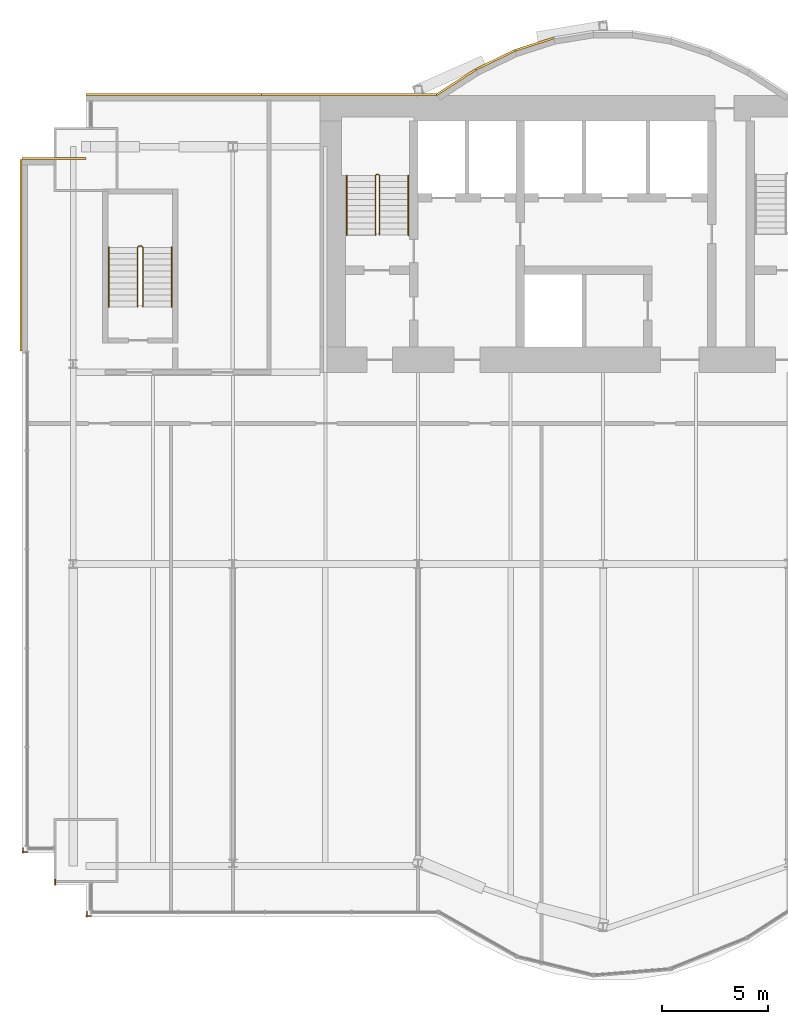
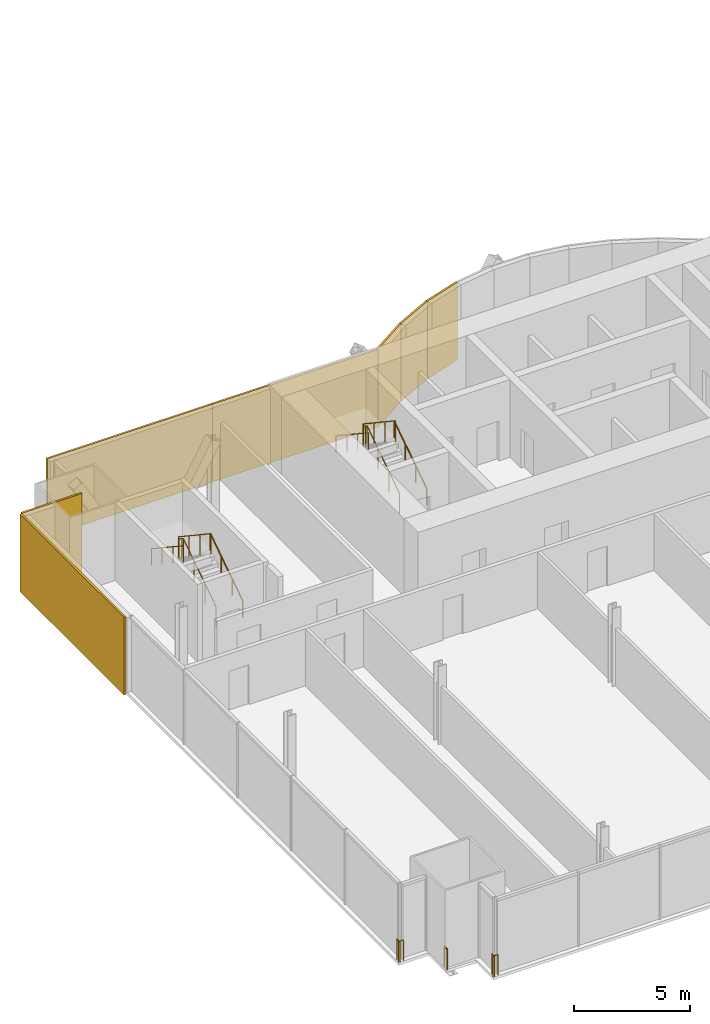
# One storey, part 19 of 21: 9 railings, 7 coverings.
"""IFC4 building model written with IfcOpenShell, lengths in metres."""

from ifc_helpers import new_model, si_unit, direction, frame, origin, origin_2d, place, context, subcontext, project, spatial, rectangle, circle, extrude, material, layer, layer_set, type_object, element, save


model = new_model("IFC4")

# Units and contexts
model_context = context("Model", 3, precision=1e-05, world=origin(), true_north=direction((0.0, 1.0)))
body_context = subcontext(model_context, "Body", "Model", "MODEL_VIEW")
ifc_project = project(units=[si_unit("LENGTHUNIT", "METRE"), si_unit("AREAUNIT", "SQUARE_METRE"), si_unit("VOLUMEUNIT", "CUBIC_METRE"), si_unit("PLANEANGLEUNIT", "RADIAN"), si_unit("MASSUNIT", "GRAM", prefix="KILO")], contexts=[model_context])

# Site, building, storey
site_placement = place(None, origin())
site = spatial("IfcSite", under=ifc_project, at=site_placement, CompositionType="ELEMENT")
building_placement = place(site_placement, origin())
building = spatial("IfcBuilding", under=site, at=building_placement, Name="Bicima Exchange Tower", CompositionType="ELEMENT")
storey_placement = place(building_placement, frame((0.0, 0.0, 98.10009765625)))
storey = spatial("IfcBuildingStorey", under=building, at=storey_placement, Name="L20", CompositionType="ELEMENT", Elevation=98.10009765625)

# Coverings
ifc_material_1 = material(Name="Bronze metal cladding")
ifc_layer_1 = layer(ifc_material_1, 0.004)
ifc_material_2 = material(Name="Ventilated cavity")
ifc_layer_2 = layer(ifc_material_2, 0.06)
ifc_material_3 = material(Name="Galvanised steel rail and mineral wool", Category="steel")
ifc_layer_3 = layer(ifc_material_3, 0.036)
ifc_layer_set = layer_set([ifc_layer_1, ifc_layer_2, ifc_layer_3], Name="Ventilated cavity")
covering_type = type_object("IfcCoveringType", Name="Bronze metal cladding panel 100", PredefinedType="CLADDING", material=ifc_layer_set)
covering_1_placement = place(storey_placement, frame((-11.931884765625, 2.41796875, -0.150146484375), z_axis=(0.0, 0.0, 1.0), x_axis=(-0.951524642381, -0.307572519808, 0.0)))
element("IfcCovering", 1, at=covering_1_placement, inside=storey, type_object=covering_type, Name="Bronze cladding L20 17.1", PredefinedType="CLADDING", context=body_context, shape_type="SweptSolid", body=[
    extrude(rectangle(XDim=1.9267578125, YDim=0.10009765625, at=origin_2d()), origin(), (0.0, 0.0, 1.0), 4.10009765625),
])
covering_2_placement = place(storey_placement, frame((-13.771728515625, 1.674560546875, -0.150146484375), z_axis=(0.0, 0.0, 1.0), x_axis=(-0.899818346812, -0.436264762204, 0.0)))
element("IfcCovering", 2, at=covering_2_placement, inside=storey, type_object=covering_type, Name="Bronze cladding L20 18.1", PredefinedType="CLADDING", context=body_context, shape_type="SweptSolid", body=[
    extrude(rectangle(XDim=2.03759765625, YDim=0.10009765625, at=origin_2d()), origin(), (0.0, 0.0, 1.0), 4.10009765625),
])
covering_3_placement = place(storey_placement, frame((-15.610595703125, 0.634521484375, -0.150146484375), z_axis=(0.0, 0.0, 1.0), x_axis=(-0.839790466384, -0.542910648791, 0.0)))
element("IfcCovering", 3, at=covering_3_placement, inside=storey, type_object=covering_type, Name="Bronze cladding L20 19.1", PredefinedType="CLADDING", context=body_context, shape_type="SweptSolid", body=[
    extrude(rectangle(XDim=2.18310546875, YDim=0.10009765625, at=origin_2d()), origin(), (0.0, 0.0, 1.0), 4.10009765625),
])
for number, where, z_axis, x_axis, name in (
    (4, (-20.625, 0.050048828125, -0.150146484375), (0.0, 0.0, 1.0), (-1.0, 0.0, 0.0), "Bronze cladding L20 20.1"),
    (5, (-28.875, 0.050048828125, -0.150146484375), (0.0, 0.0, 1.0), (-1.0, 0.0, 0.0), "Bronze cladding L20 20.2"),
):
    element("IfcCovering", number, at=place(storey_placement, frame(where, z_axis=z_axis, x_axis=x_axis)), inside=storey, type_object=covering_type, Name=name, PredefinedType="CLADDING", context=body_context, shape_type="SweptSolid", body=[
        extrude(rectangle(XDim=8.25, YDim=0.10009765625, at=origin_2d()), origin(), (0.0, 0.0, 1.0), 4.10009765625),
    ])
covering_4_placement = place(storey_placement, frame((-34.5, -2.949951171875, -0.150146484375), z_axis=(0.0, 0.0, 1.0), x_axis=(-1.0, 0.0, 0.0)))
element("IfcCovering", 6, at=covering_4_placement, inside=storey, type_object=covering_type, Name="Bronze cladding L20 22.1", PredefinedType="CLADDING", context=body_context, shape_type="SweptSolid", body=[
    extrude(rectangle(XDim=3.0, YDim=0.10009765625, at=origin_2d()), origin(), (0.0, 0.0, 1.0), 4.10009765625),
])
covering_5_placement = place(storey_placement, frame((-36.050048828125, -7.5, -0.150146484375), z_axis=(0.0, 0.0, 1.0), x_axis=(0.0, -1.0, 0.0)))
element("IfcCovering", 7, at=covering_5_placement, inside=storey, type_object=covering_type, Name="Bronze cladding L20 23.1", PredefinedType="CLADDING", context=body_context, shape_type="SweptSolid", body=[
    extrude(rectangle(XDim=9.0, YDim=0.10009765625, at=origin_2d()), origin(), (0.0, 0.0, 1.0), 4.10009765625),
])

# Railings
ifc_material_4 = material(Name="Stainless steel and bonded safety glass", Category="steel")
railing_type_1 = type_object("IfcRailingType", Name="Edge guard 1100", PredefinedType="GUARDRAIL", material=ifc_material_4)
railing_1_placement = place(storey_placement, frame((-35.75, -35.533935546875, 0.0)))
element("IfcRailing", 8, at=railing_1_placement, inside=storey, type_object=railing_type_1, Name="Edge guard L20 91", PredefinedType="GUARDRAIL", context=body_context, shape_type="SweptSolid", body=[
    extrude(circle(Radius=0.02392578125, at=origin_2d()), frame((0.0, 0.0, 1.076171875), z_axis=(-1.0, 0.0, 0.0), x_axis=(0.0, -1.0, 0.0)), (0.0, 0.0, 1.0), 0.25),
    extrude(circle(Radius=0.02392578125, at=origin_2d()), frame((-0.25, 0.0, 1.076171875), z_axis=(0.707106781187, -0.707106781187, 0.0), x_axis=(0.707106781187, 0.707106781187, 0.0)), (0.0, 0.0, 1.0), 0.07080078125),
    extrude(circle(Radius=0.02392578125, at=origin_2d()), frame((-0.199951171875, -0.050048828125, 1.076171875), z_axis=(0.0, 1.0, 0.0), x_axis=(-1.0, 0.0, 0.0)), (0.0, 0.0, 1.0), 0.2490234375),
    extrude(circle(Radius=0.02099609375, at=origin_2d()), origin(), (0.0, 0.0, 1.0), 1.052001953125),
    extrude(circle(Radius=0.02099609375, at=origin_2d()), frame((-0.25, 0.0, 0.0)), (0.0, 0.0, 1.0), 1.052001953125),
    extrude(circle(Radius=0.02099609375, at=origin_2d()), frame((-0.199951171875, -0.050048828125, 0.0)), (0.0, 0.0, 1.0), 1.052001953125),
    extrude(circle(Radius=0.02099609375, at=origin_2d()), frame((-0.199951171875, 0.198974609375, 0.0)), (0.0, 0.0, 1.0), 1.052001953125),
])
railing_2_placement = place(storey_placement, frame((-32.75, -38.533935546875, 0.0)))
element("IfcRailing", 9, at=railing_2_placement, inside=storey, type_object=railing_type_1, Name="Edge guard L20 95", PredefinedType="GUARDRAIL", context=body_context, shape_type="SweptSolid", body=[
    extrude(circle(Radius=0.02392578125, at=origin_2d()), frame((0.0, 0.0, 1.076171875), z_axis=(-1.0, 0.0, 0.0), x_axis=(0.0, -1.0, 0.0)), (0.0, 0.0, 1.0), 0.25),
    extrude(circle(Radius=0.02392578125, at=origin_2d()), frame((-0.25, 0.0, 1.076171875), z_axis=(0.707106781187, -0.707106781187, 0.0), x_axis=(0.707106781187, 0.707106781187, 0.0)), (0.0, 0.0, 1.0), 0.07080078125),
    extrude(circle(Radius=0.02392578125, at=origin_2d()), frame((-0.199951171875, -0.050048828125, 1.076171875), z_axis=(0.0, 1.0, 0.0), x_axis=(-1.0, 0.0, 0.0)), (0.0, 0.0, 1.0), 0.25),
    extrude(circle(Radius=0.02099609375, at=origin_2d()), origin(), (0.0, 0.0, 1.0), 1.052001953125),
    extrude(circle(Radius=0.02099609375, at=origin_2d()), frame((-0.25, 0.0, 0.0)), (0.0, 0.0, 1.0), 1.052001953125),
    extrude(circle(Radius=0.02099609375, at=origin_2d()), frame((-0.199951171875, -0.050048828125, 0.0)), (0.0, 0.0, 1.0), 1.052001953125),
    extrude(circle(Radius=0.02099609375, at=origin_2d()), frame((-0.199951171875, 0.199951171875, 0.0)), (0.0, 0.0, 1.0), 1.052001953125),
])
railing_3_placement = place(storey_placement, frame((-34.449951171875, -37.083984375, 0.0)))
element("IfcRailing", 10, at=railing_3_placement, inside=storey, type_object=railing_type_1, Name="Edge guard L20 96", PredefinedType="GUARDRAIL", context=body_context, shape_type="SweptSolid", body=[
    extrude(circle(Radius=0.02392578125, at=origin_2d()), frame((0.0, 0.0, 1.076171875), z_axis=(0.0, 1.0, 0.0), x_axis=(-1.0, 0.0, 0.0)), (0.0, 0.0, 1.0), 0.25),
    extrude(circle(Radius=0.02099609375, at=origin_2d()), origin(), (0.0, 0.0, 1.0), 1.052001953125),
    extrude(circle(Radius=0.02099609375, at=origin_2d()), frame((0.0, 0.25, 0.0)), (0.0, 0.0, 1.0), 1.052001953125),
])
ifc_material_5 = material(Name="Stainless steel", Category="steel")
railing_type_2 = type_object("IfcRailingType", Name="Stair guard 1100", PredefinedType="GUARDRAIL", material=ifc_material_5)
railing_4_placement = place(storey_placement, frame((-19.199951171875, -6.550048828125, 0.186279296875)))
element("IfcRailing", 11, at=railing_4_placement, inside=storey, type_object=railing_type_2, Name="L20 ST-W stair guard 1", PredefinedType="GUARDRAIL", context=body_context, shape_type="SweptSolid", body=[
    extrude(circle(Radius=0.02392578125, at=origin_2d()), frame((0.0, 0.0, 1.076171875), z_axis=(0.0, 0.832485552168, 0.554046753832), x_axis=(-1.0, 0.0, 0.0)), (0.0, 0.0, 1.0), 3.363525390625),
    extrude(circle(Radius=0.02392578125, at=origin_2d()), frame((0.0, 2.800048828125, 2.939453125), z_axis=(-0.707106781187, 0.707106781187, 0.0), x_axis=(-0.707106781187, -0.707106781187, 0.0)), (0.0, 0.0, 1.0), 0.07080078125),
    extrude(circle(Radius=0.02392578125, at=origin_2d()), frame((-0.050048828125, 2.85009765625, 2.939453125), z_axis=(-1.0, 0.0, 0.0), x_axis=(0.0, -1.0, 0.0)), (0.0, 0.0, 1.0), 0.10009765625),
    extrude(circle(Radius=0.02392578125, at=origin_2d()), frame((-0.150146484375, 2.85009765625, 2.939453125), z_axis=(-0.249722437352, -0.250946566947, 0.935235010476), x_axis=(0.708833529934, -0.705375805398, 0.0)), (0.0, 0.0, 1.0), 0.199462890625),
    extrude(circle(Radius=0.02392578125, at=origin_2d()), frame((-0.199951171875, 2.800048828125, 3.1259765625), z_axis=(0.0, -0.832485552168, 0.554046753832), x_axis=(1.0, 0.0, 0.0)), (0.0, 0.0, 1.0), 3.363525390625),
    extrude(circle(Radius=0.02099609375, at=origin_2d()), origin(), (0.0, 0.0, 1.0), 1.052001953125),
    extrude(circle(Radius=0.02099609375, at=origin_2d()), frame((0.0, 0.933349609375, 0.62109375)), (0.0, 0.0, 1.0), 1.052001953125),
    extrude(circle(Radius=0.02099609375, at=origin_2d()), frame((0.0, 1.86669921875, 1.242431640625)), (0.0, 0.0, 1.0), 1.052001953125),
    extrude(circle(Radius=0.02099609375, at=origin_2d()), frame((0.0, 2.800048828125, 1.863525390625)), (0.0, 0.0, 1.0), 1.052001953125),
    extrude(circle(Radius=0.02099609375, at=origin_2d()), frame((-0.050048828125, 2.85009765625, 1.863525390625)), (0.0, 0.0, 1.0), 1.052001953125),
    extrude(circle(Radius=0.02099609375, at=origin_2d()), frame((-0.150146484375, 2.85009765625, 1.863525390625)), (0.0, 0.0, 1.0), 1.052001953125),
    extrude(circle(Radius=0.02099609375, at=origin_2d()), frame((-0.199951171875, 2.800048828125, 2.050048828125)), (0.0, 0.0, 1.0), 1.052001953125),
    extrude(circle(Radius=0.02099609375, at=origin_2d()), frame((-0.199951171875, 1.86669921875, 2.671142578125)), (0.0, 0.0, 1.0), 1.052001953125),
    extrude(circle(Radius=0.02099609375, at=origin_2d()), frame((-0.199951171875, 0.933349609375, 3.29248046875)), (0.0, 0.0, 1.0), 1.052001953125),
    extrude(circle(Radius=0.02099609375, at=origin_2d()), frame((-0.199951171875, 0.0, 3.91357421875)), (0.0, 0.0, 1.0), 1.052001953125),
])
railing_5_placement = place(storey_placement, frame((-30.324951171875, -9.925048828125, 0.186279296875)))
element("IfcRailing", 12, at=railing_5_placement, inside=storey, type_object=railing_type_2, Name="L20 ST-WW stair guard 1", PredefinedType="GUARDRAIL", context=body_context, shape_type="SweptSolid", body=[
    extrude(circle(Radius=0.02392578125, at=origin_2d()), frame((0.0, 0.0, 1.076171875), z_axis=(0.0, 0.832485552168, 0.554046753832), x_axis=(-1.0, 0.0, 0.0)), (0.0, 0.0, 1.0), 3.363525390625),
    extrude(circle(Radius=0.02392578125, at=origin_2d()), frame((0.0, 2.800048828125, 2.939453125), z_axis=(-0.707106781187, 0.707106781187, 0.0), x_axis=(-0.707106781187, -0.707106781187, 0.0)), (0.0, 0.0, 1.0), 0.07080078125),
    extrude(circle(Radius=0.02392578125, at=origin_2d()), frame((-0.050048828125, 2.85009765625, 2.939453125), z_axis=(-1.0, 0.0, 0.0), x_axis=(0.0, -1.0, 0.0)), (0.0, 0.0, 1.0), 0.14990234375),
    extrude(circle(Radius=0.02392578125, at=origin_2d()), frame((-0.199951171875, 2.85009765625, 2.939453125), z_axis=(-0.250869701741, -0.250869701741, 0.934948546978), x_axis=(0.707106781187, -0.707106781187, 0.0)), (0.0, 0.0, 1.0), 0.199462890625),
    extrude(circle(Radius=0.02392578125, at=origin_2d()), frame((-0.25, 2.800048828125, 3.1259765625), z_axis=(0.0, -0.832485552168, 0.554046753832), x_axis=(1.0, 0.0, 0.0)), (0.0, 0.0, 1.0), 3.363525390625),
    extrude(circle(Radius=0.02099609375, at=origin_2d()), origin(), (0.0, 0.0, 1.0), 1.052001953125),
    extrude(circle(Radius=0.02099609375, at=origin_2d()), frame((0.0, 0.933349609375, 0.62109375)), (0.0, 0.0, 1.0), 1.052001953125),
    extrude(circle(Radius=0.02099609375, at=origin_2d()), frame((0.0, 1.86669921875, 1.242431640625)), (0.0, 0.0, 1.0), 1.052001953125),
    extrude(circle(Radius=0.02099609375, at=origin_2d()), frame((0.0, 2.800048828125, 1.863525390625)), (0.0, 0.0, 1.0), 1.052001953125),
    extrude(circle(Radius=0.02099609375, at=origin_2d()), frame((-0.050048828125, 2.85009765625, 1.863525390625)), (0.0, 0.0, 1.0), 1.052001953125),
    extrude(circle(Radius=0.02099609375, at=origin_2d()), frame((-0.199951171875, 2.85009765625, 1.863525390625)), (0.0, 0.0, 1.0), 1.052001953125),
    extrude(circle(Radius=0.02099609375, at=origin_2d()), frame((-0.25, 2.800048828125, 2.050048828125)), (0.0, 0.0, 1.0), 1.052001953125),
    extrude(circle(Radius=0.02099609375, at=origin_2d()), frame((-0.25, 1.86669921875, 2.671142578125)), (0.0, 0.0, 1.0), 1.052001953125),
    extrude(circle(Radius=0.02099609375, at=origin_2d()), frame((-0.25, 0.933349609375, 3.29248046875)), (0.0, 0.0, 1.0), 1.052001953125),
    extrude(circle(Radius=0.02099609375, at=origin_2d()), frame((-0.25, 0.0, 3.91357421875)), (0.0, 0.0, 1.0), 1.052001953125),
])
railing_type_3 = type_object("IfcRailingType", Name="Stair handrail 900", PredefinedType="HANDRAIL", material=ifc_material_5)
railing_6_placement = place(storey_placement, frame((-17.85009765625, -6.550048828125, 0.186279296875)))
element("IfcRailing", 13, at=railing_6_placement, inside=storey, type_object=railing_type_3, Name="L20 ST-W stair handrail 1", PredefinedType="HANDRAIL", context=body_context, shape_type="SweptSolid", body=[
    extrude(circle(Radius=0.02392578125, at=origin_2d()), frame((0.0, 0.0, 0.8759765625), z_axis=(0.0, 0.832485552168, 0.554046753832), x_axis=(-1.0, 0.0, 0.0)), (0.0, 0.0, 1.0), 3.363525390625),
    extrude(circle(Radius=0.02099609375, at=origin_2d()), origin(), (0.0, 0.0, 1.0), 0.851806640625),
    extrude(circle(Radius=0.02099609375, at=origin_2d()), frame((0.0, 0.933349609375, 0.62109375)), (0.0, 0.0, 1.0), 0.851806640625),
    extrude(circle(Radius=0.02099609375, at=origin_2d()), frame((0.0, 1.86669921875, 1.242431640625)), (0.0, 0.0, 1.0), 0.851806640625),
    extrude(circle(Radius=0.02099609375, at=origin_2d()), frame((0.0, 2.800048828125, 1.863525390625)), (0.0, 0.0, 1.0), 0.851806640625),
])
railing_7_placement = place(storey_placement, frame((-20.75, -3.75, 2.276611328125)))
element("IfcRailing", 14, at=railing_7_placement, inside=storey, type_object=railing_type_3, Name="L20 ST-W stair handrail 2", PredefinedType="HANDRAIL", context=body_context, shape_type="SweptSolid", body=[
    extrude(circle(Radius=0.02392578125, at=origin_2d()), frame((0.0, 0.0, 0.8759765625), z_axis=(0.0, -0.832452072856, 0.554097055034), x_axis=(1.0, 0.0, 0.0)), (0.0, 0.0, 1.0), 3.363525390625),
    extrude(circle(Radius=0.02099609375, at=origin_2d()), origin(), (0.0, 0.0, 1.0), 0.851806640625),
    extrude(circle(Radius=0.02099609375, at=origin_2d()), frame((0.0, -0.933349609375, 0.621337890625)), (0.0, 0.0, 1.0), 0.851806640625),
    extrude(circle(Radius=0.02099609375, at=origin_2d()), frame((0.0, -1.86669921875, 1.242431640625)), (0.0, 0.0, 1.0), 0.851806640625),
    extrude(circle(Radius=0.02099609375, at=origin_2d()), frame((0.0, -2.800048828125, 1.86376953125)), (0.0, 0.0, 1.0), 0.851806640625),
])
railing_8_placement = place(storey_placement, frame((-28.97509765625, -9.925048828125, 0.186279296875)))
element("IfcRailing", 15, at=railing_8_placement, inside=storey, type_object=railing_type_3, Name="L20 ST-WW stair handrail 1", PredefinedType="HANDRAIL", context=body_context, shape_type="SweptSolid", body=[
    extrude(circle(Radius=0.02392578125, at=origin_2d()), frame((0.0, 0.0, 0.8759765625), z_axis=(0.0, 0.832485552168, 0.554046753832), x_axis=(-1.0, 0.0, 0.0)), (0.0, 0.0, 1.0), 3.363525390625),
    extrude(circle(Radius=0.02099609375, at=origin_2d()), origin(), (0.0, 0.0, 1.0), 0.851806640625),
    extrude(circle(Radius=0.02099609375, at=origin_2d()), frame((0.0, 0.933349609375, 0.62109375)), (0.0, 0.0, 1.0), 0.851806640625),
    extrude(circle(Radius=0.02099609375, at=origin_2d()), frame((0.0, 1.86669921875, 1.242431640625)), (0.0, 0.0, 1.0), 0.851806640625),
    extrude(circle(Radius=0.02099609375, at=origin_2d()), frame((0.0, 2.800048828125, 1.863525390625)), (0.0, 0.0, 1.0), 0.851806640625),
])
railing_9_placement = place(storey_placement, frame((-31.925048828125, -7.125, 2.276611328125)))
element("IfcRailing", 16, at=railing_9_placement, inside=storey, type_object=railing_type_3, Name="L20 ST-WW stair handrail 2", PredefinedType="HANDRAIL", context=body_context, shape_type="SweptSolid", body=[
    extrude(circle(Radius=0.02392578125, at=origin_2d()), frame((0.0, 0.0, 0.8759765625), z_axis=(0.0, -0.832452072856, 0.554097055034), x_axis=(1.0, 0.0, 0.0)), (0.0, 0.0, 1.0), 3.363525390625),
    extrude(circle(Radius=0.02099609375, at=origin_2d()), origin(), (0.0, 0.0, 1.0), 0.851806640625),
    extrude(circle(Radius=0.02099609375, at=origin_2d()), frame((0.0, -0.933349609375, 0.621337890625)), (0.0, 0.0, 1.0), 0.851806640625),
    extrude(circle(Radius=0.02099609375, at=origin_2d()), frame((0.0, -1.86669921875, 1.242431640625)), (0.0, 0.0, 1.0), 0.851806640625),
    extrude(circle(Radius=0.02099609375, at=origin_2d()), frame((0.0, -2.800048828125, 1.86376953125)), (0.0, 0.0, 1.0), 0.851806640625),
])

save(model, "model.ifc")
